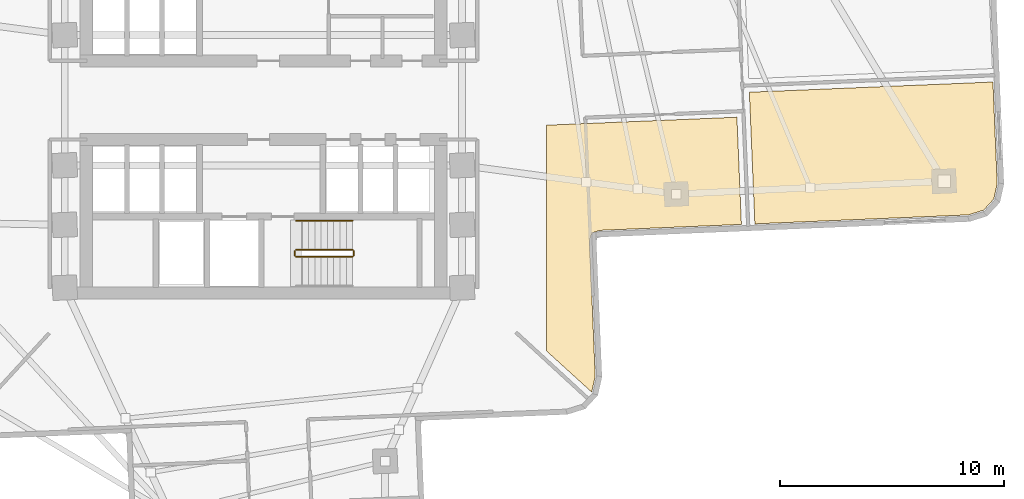
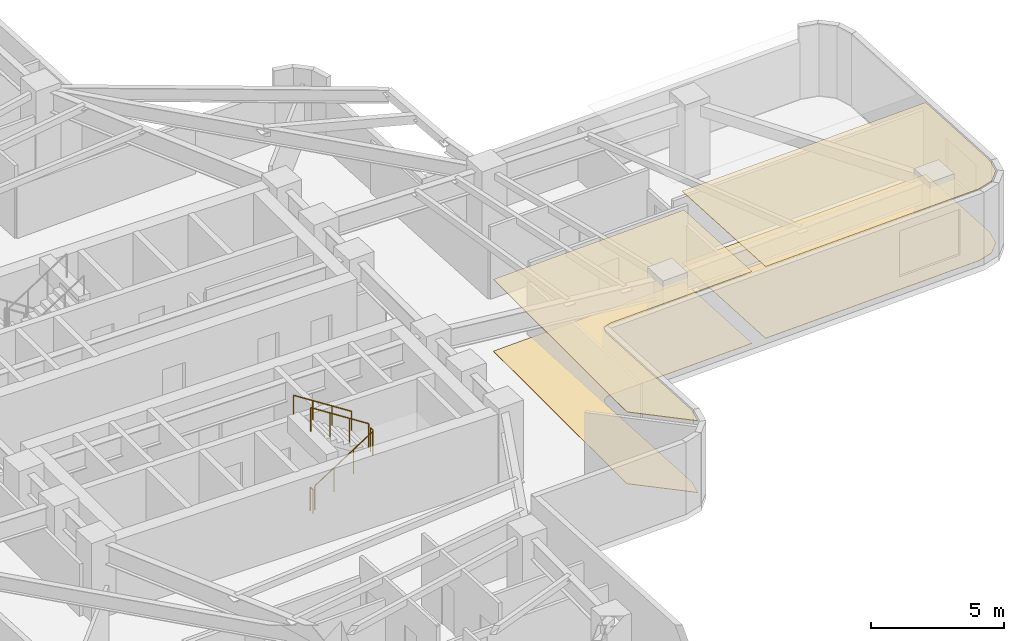
# One storey, part 13 of 15: 5 railings, 4 coverings.
"""IFC4 building model written with IfcOpenShell, lengths in metres."""

from ifc_helpers import new_model, si_unit, direction, frame, origin, origin_2d, place, context, subcontext, project, spatial, polyline, circle, outline, extrude, material, layer, layer_set, type_object, element, save


model = new_model("IFC4")

# Units and contexts
model_context = context("Model", 3, precision=1e-05, world=origin(), true_north=direction((0.0, 1.0)))
body_context = subcontext(model_context, "Body", "Model", "MODEL_VIEW")
ifc_project = project(units=[si_unit("LENGTHUNIT", "METRE"), si_unit("AREAUNIT", "SQUARE_METRE"), si_unit("VOLUMEUNIT", "CUBIC_METRE"), si_unit("PLANEANGLEUNIT", "RADIAN"), si_unit("MASSUNIT", "GRAM", prefix="KILO")], contexts=[model_context])

# Site, building, storey
site_placement = place(None, origin())
site = spatial("IfcSite", under=ifc_project, at=site_placement, CompositionType="ELEMENT")
building_placement = place(site_placement, origin())
building = spatial("IfcBuilding", under=site, at=building_placement, Name="Solmarez Civic Tower", CompositionType="ELEMENT")
storey_placement = place(building_placement, frame((0.0, 0.0, 46.080078125)))
storey = spatial("IfcBuildingStorey", under=building, at=storey_placement, Name="L11", CompositionType="ELEMENT", Elevation=46.080078125)

# Coverings
ifc_material_1 = material(Name="Perforated Mineral-Fibre Acoustic Ceiling")
ifc_layer_1 = layer(ifc_material_1, 0.02490234375)
ifc_layer_set_1 = layer_set([ifc_layer_1], Name="Perforated Mineral-Fibre Acoustic Ceiling")
covering_type_1 = type_object("IfcCoveringType", Name="COV-CEIL-ACOUSTIC", PredefinedType="CEILING", material=ifc_layer_set_1)
covering_1_placement = place(storey_placement, frame((0.0, 0.0, 3.294921875)))
element("IfcCovering", 1, at=covering_1_placement, inside=storey, type_object=covering_type_1, Name="L11 Suspended Acoustic Ceiling 3", PredefinedType="CEILING", context=body_context, shape_type="SweptSolid", body=[
    extrude(outline(polyline([(12.60009765625, -1.113037109375), (12.60009765625, -11.162109375), (14.618896484375, -12.9990234375), (14.623046875, -12.993896484375), (14.778076171875, -12.302001953125), (14.528076171875, -6.327880859375), (14.528076171875, -6.319091796875), (14.528076171875, -6.304931640625), (14.530029296875, -6.27392578125), (14.531005859375, -6.26708984375), (14.533935546875, -6.2490234375), (14.572021484375, -6.0810546875), (14.574951171875, -6.070068359375), (14.576904296875, -6.06298828125), (14.5869140625, -6.035888671875), (14.590087890625, -6.029052734375), (14.593017578125, -6.02197265625), (14.60400390625, -6.0), (14.60791015625, -5.992919921875), (14.617919921875, -5.97705078125), (14.6298828125, -5.9609375), (14.635009765625, -5.955078125), (14.64501953125, -5.944091796875), (14.657958984375, -5.929931640625), (14.673095703125, -5.916015625), (14.68798828125, -5.904052734375), (14.7060546875, -5.89306640625), (14.721923828125, -5.884033203125), (14.739990234375, -5.875), (14.75390625, -5.868896484375), (14.77587890625, -5.861083984375), (14.93994140625, -5.81005859375), (14.945068359375, -5.80810546875), (14.951904296875, -5.805908203125), (14.98095703125, -5.800048828125), (14.988037109375, -5.799072265625), (14.9951171875, -5.798095703125), (15.01708984375, -5.7958984375), (21.2900390625, -5.532958984375), (21.090087890625, -0.757080078125), (12.60009765625, -1.113037109375)])), origin(), (0.0, 0.0, 1.0), 0.02490234375),
])
covering_2_placement = place(storey_placement, frame((0.0, 0.0, 3.294921875)))
element("IfcCovering", 2, at=covering_2_placement, inside=storey, type_object=covering_type_1, Name="L11 Suspended Acoustic Ceiling 5", PredefinedType="CEILING", context=body_context, shape_type="SweptSolid", body=[
    extrude(outline(polyline([(21.889892578125, -5.508056640625), (31.402099609375, -5.10888671875), (32.077880859375, -4.89794921875), (32.530029296875, -4.406005859375), (32.68408203125, -3.715087890625), (32.493896484375, 0.81103515625), (21.64404296875, 0.35595703125), (21.889892578125, -5.508056640625)])), origin(), (0.0, 0.0, 1.0), 0.02490234375),
])
ifc_material_2 = material(Name="Polished Tropical Stone Terrazzo Flooring", Category="masonry")
ifc_layer_2 = layer(ifc_material_2, 0.02001953125)
ifc_layer_set_2 = layer_set([ifc_layer_2], Name="Polished Tropical Stone Terrazzo Flooring")
covering_type_2 = type_object("IfcCoveringType", Name="COV-FLOOR-TERRAZZO", PredefinedType="FLOORING", material=ifc_layer_set_2)
covering_3_placement = place(storey_placement, origin())
element("IfcCovering", 3, at=covering_3_placement, inside=storey, type_object=covering_type_2, Name="L11 Terrazzo Floor Finish 3", PredefinedType="FLOORING", context=body_context, shape_type="SweptSolid", body=[
    extrude(outline(polyline([(12.60009765625, -1.113037109375), (12.60009765625, -11.162109375), (14.618896484375, -12.9990234375), (14.623046875, -12.993896484375), (14.778076171875, -12.302001953125), (14.528076171875, -6.327880859375), (14.528076171875, -6.319091796875), (14.528076171875, -6.304931640625), (14.530029296875, -6.27392578125), (14.531005859375, -6.26708984375), (14.533935546875, -6.2490234375), (14.572021484375, -6.0810546875), (14.574951171875, -6.070068359375), (14.576904296875, -6.06298828125), (14.5869140625, -6.035888671875), (14.590087890625, -6.029052734375), (14.593017578125, -6.02197265625), (14.60400390625, -6.0), (14.60791015625, -5.992919921875), (14.617919921875, -5.97705078125), (14.6298828125, -5.9609375), (14.635009765625, -5.955078125), (14.64501953125, -5.944091796875), (14.657958984375, -5.929931640625), (14.673095703125, -5.916015625), (14.68798828125, -5.904052734375), (14.7060546875, -5.89306640625), (14.721923828125, -5.884033203125), (14.739990234375, -5.875), (14.75390625, -5.868896484375), (14.77587890625, -5.861083984375), (14.93994140625, -5.81005859375), (14.945068359375, -5.80810546875), (14.951904296875, -5.805908203125), (14.98095703125, -5.800048828125), (14.988037109375, -5.799072265625), (14.9951171875, -5.798095703125), (15.01708984375, -5.7958984375), (21.2900390625, -5.532958984375), (21.090087890625, -0.757080078125), (12.60009765625, -1.113037109375)])), origin(), (0.0, 0.0, 1.0), 0.02001953125),
])
covering_4_placement = place(storey_placement, origin())
element("IfcCovering", 4, at=covering_4_placement, inside=storey, type_object=covering_type_2, Name="L11 Terrazzo Floor Finish 5", PredefinedType="FLOORING", context=body_context, shape_type="SweptSolid", body=[
    extrude(outline(polyline([(21.889892578125, -5.508056640625), (31.402099609375, -5.10888671875), (32.077880859375, -4.89794921875), (32.530029296875, -4.406005859375), (32.68408203125, -3.715087890625), (32.493896484375, 0.81103515625), (21.64404296875, 0.35595703125), (21.889892578125, -5.508056640625)])), origin(), (0.0, 0.0, 1.0), 0.02001953125),
])

# Railings
ifc_material_3 = material(Name="Painted Steel Stairwell Safety Guard", Category="steel")
railing_type_1 = type_object("IfcRailingType", Name="GUARD-STAIR-1120", PredefinedType="BALUSTRADE", material=ifc_material_3)
railing_1_placement = place(storey_placement, frame((1.449951171875, -6.969970703125, 0.179931640625)))
element("IfcRailing", 5, at=railing_1_placement, inside=storey, type_object=railing_type_1, Name="L11 ST-2 stair guard 1", PredefinedType="BALUSTRADE", context=body_context, shape_type="SweptSolid", body=[
    extrude(circle(Radius=0.02392578125, at=origin_2d()), frame((0.0, 0.0, 1.09619140625), z_axis=(0.841199657755, 0.0, 0.540724639528), x_axis=(0.0, 1.0, 0.0)), (0.0, 0.0, 1.0), 2.995849609375),
    extrude(circle(Radius=0.02099609375, at=origin_2d()), origin(), (0.0, 0.0, 1.0), 1.072021484375),
    extrude(circle(Radius=0.02099609375, at=origin_2d()), frame((0.840087890625, 0.0, 0.5400390625)), (0.0, 0.0, 1.0), 1.072021484375),
    extrude(circle(Radius=0.02099609375, at=origin_2d()), frame((1.679931640625, 0.0, 1.079833984375)), (0.0, 0.0, 1.0), 1.072021484375),
    extrude(circle(Radius=0.02099609375, at=origin_2d()), frame((2.52001953125, 0.0, 1.619873046875)), (0.0, 0.0, 1.0), 1.072021484375),
])
railing_2_placement = place(storey_placement, frame((4.02001953125, -6.919921875, 1.7998046875)))
element("IfcRailing", 6, at=railing_2_placement, inside=storey, type_object=railing_type_1, Name="L11 ST-2 stair guard 2", PredefinedType="BALUSTRADE", context=body_context, shape_type="SweptSolid", body=[
    extrude(circle(Radius=0.02392578125, at=origin_2d()), frame((0.0, 0.0, 1.09619140625), z_axis=(0.0, 1.0, 0.0), x_axis=(-1.0, 0.0, 0.0)), (0.0, 0.0, 1.0), 0.199951171875),
    extrude(circle(Radius=0.02099609375, at=origin_2d()), origin(), (0.0, 0.0, 1.0), 1.072021484375),
    extrude(circle(Radius=0.02099609375, at=origin_2d()), frame((0.0, 0.199951171875, 0.0)), (0.0, 0.0, 1.0), 1.072021484375),
])
railing_3_placement = place(storey_placement, frame((3.969970703125, -6.669921875, 1.97998046875)))
element("IfcRailing", 7, at=railing_3_placement, inside=storey, type_object=railing_type_1, Name="L11 ST-2 stair guard 3", PredefinedType="BALUSTRADE", context=body_context, shape_type="SweptSolid", body=[
    extrude(circle(Radius=0.02392578125, at=origin_2d()), frame((0.0, 0.0, 1.09619140625), z_axis=(-0.841199657755, 0.0, 0.540724639528), x_axis=(0.0, -1.0, 0.0)), (0.0, 0.0, 1.0), 2.995849609375),
    extrude(circle(Radius=0.02099609375, at=origin_2d()), origin(), (0.0, 0.0, 1.0), 1.072021484375),
    extrude(circle(Radius=0.02099609375, at=origin_2d()), frame((-0.840087890625, 0.0, 0.5400390625)), (0.0, 0.0, 1.0), 1.072021484375),
    extrude(circle(Radius=0.02099609375, at=origin_2d()), frame((-1.679931640625, 0.0, 1.079833984375)), (0.0, 0.0, 1.0), 1.072021484375),
    extrude(circle(Radius=0.02099609375, at=origin_2d()), frame((-2.52001953125, 0.0, 1.619873046875)), (0.0, 0.0, 1.0), 1.072021484375),
])
railing_4_placement = place(storey_placement, frame((1.39990234375, -6.919921875, 0.0)))
element("IfcRailing", 8, at=railing_4_placement, inside=storey, type_object=railing_type_1, Name="L11 ST-2 stair guard 4", PredefinedType="BALUSTRADE", context=body_context, shape_type="SweptSolid", body=[
    extrude(circle(Radius=0.02392578125, at=origin_2d()), frame((0.0, 0.0, 1.09619140625), z_axis=(0.0, 1.0, 0.0), x_axis=(-1.0, 0.0, 0.0)), (0.0, 0.0, 1.0), 0.199951171875),
    extrude(circle(Radius=0.02099609375, at=origin_2d()), origin(), (0.0, 0.0, 1.0), 1.072021484375),
    extrude(circle(Radius=0.02099609375, at=origin_2d()), frame((0.0, 0.199951171875, 0.0)), (0.0, 0.0, 1.0), 1.072021484375),
])
ifc_material_4 = material(Name="Brushed Stainless Steel Tube Handrail", Category="steel")
railing_type_2 = type_object("IfcRailingType", Name="HANDRAIL-STAIR-900", PredefinedType="HANDRAIL", material=ifc_material_4)
railing_5_placement = place(storey_placement, frame((3.969970703125, -5.3701171875, 1.97998046875)))
element("IfcRailing", 9, at=railing_5_placement, inside=storey, type_object=railing_type_2, Name="L11 ST-2 stair handrail 2", PredefinedType="HANDRAIL", context=body_context, shape_type="SweptSolid", body=[
    extrude(circle(Radius=0.02392578125, at=origin_2d()), frame((0.0, 0.0, 0.8759765625), z_axis=(-0.841199657755, 0.0, 0.540724639528), x_axis=(0.0, -1.0, 0.0)), (0.0, 0.0, 1.0), 2.995849609375),
    extrude(circle(Radius=0.02099609375, at=origin_2d()), origin(), (0.0, 0.0, 1.0), 0.851806640625),
    extrude(circle(Radius=0.02099609375, at=origin_2d()), frame((-0.840087890625, 0.0, 0.5400390625)), (0.0, 0.0, 1.0), 0.851806640625),
    extrude(circle(Radius=0.02099609375, at=origin_2d()), frame((-1.679931640625, 0.0, 1.079833984375)), (0.0, 0.0, 1.0), 0.851806640625),
    extrude(circle(Radius=0.02099609375, at=origin_2d()), frame((-2.52001953125, 0.0, 1.619873046875)), (0.0, 0.0, 1.0), 0.851806640625),
])

save(model, "model.ifc")
